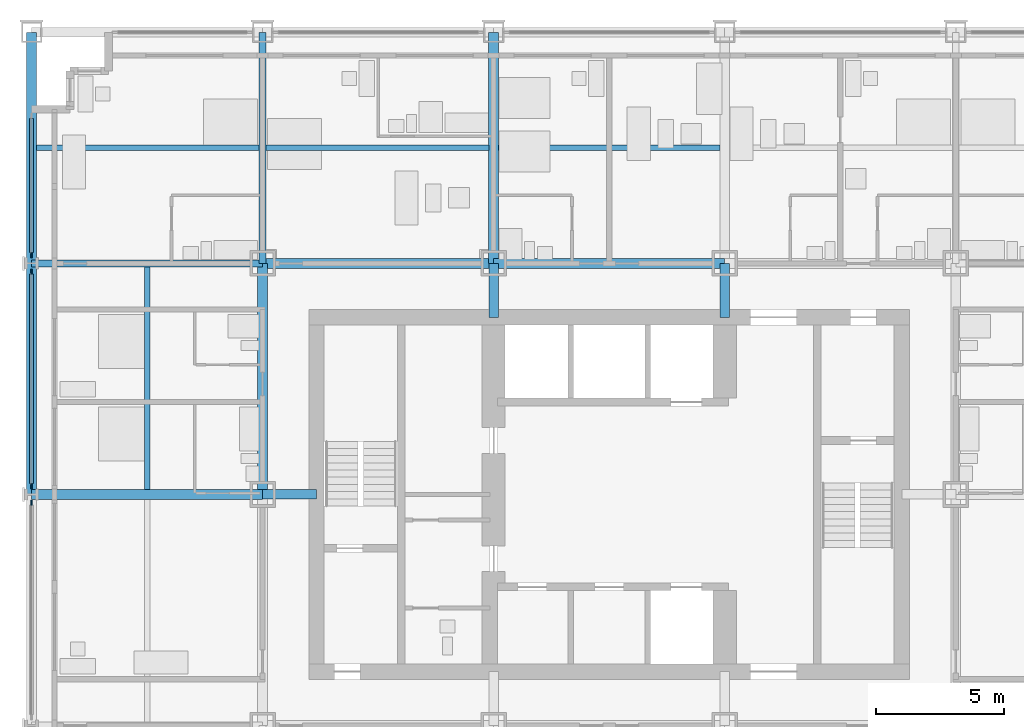
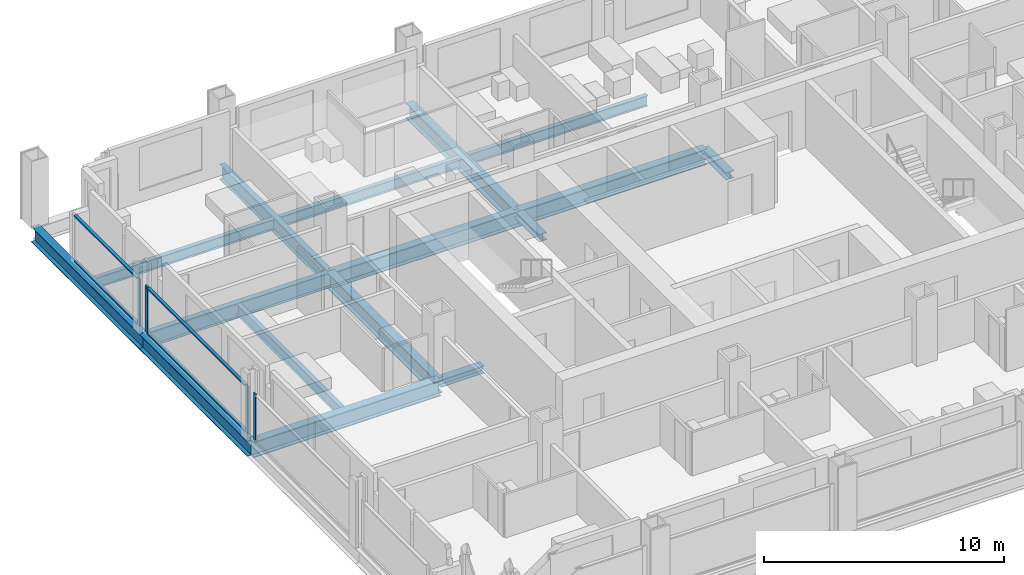
# One storey, part 4 of 17: 13 beams, 11 members, 3 elements without a shape of their own.
"""IFC4 building model written with IfcOpenShell, lengths in metres."""

from ifc_helpers import new_model, si_unit, direction, frame, origin, origin_2d, place, context, subcontext, project, spatial, rectangle, i_section, extrude, material, material_profile, profile_set, type_object, element, aggregate, save


model = new_model("IFC4")

# Units and contexts
model_context = context("Model", 3, precision=1e-05, world=origin(), true_north=direction((0.0, 1.0)))
body_context = subcontext(model_context, "Body", "Model", "MODEL_VIEW")
ifc_project = project(units=[si_unit("LENGTHUNIT", "METRE"), si_unit("AREAUNIT", "SQUARE_METRE"), si_unit("VOLUMEUNIT", "CUBIC_METRE"), si_unit("PLANEANGLEUNIT", "RADIAN"), si_unit("MASSUNIT", "GRAM", prefix="KILO")], contexts=[model_context])

# Site, building, storey
site_placement = place(None, origin())
site = spatial("IfcSite", under=ifc_project, at=site_placement, CompositionType="ELEMENT")
building_placement = place(site_placement, origin())
building = spatial("IfcBuilding", under=site, at=building_placement, Name="Loomwork Tower", CompositionType="ELEMENT")
storey_placement = place(building_placement, frame((0.0, 0.0, 152.0)))
storey = spatial("IfcBuildingStorey", under=building, at=storey_placement, Name="L41", CompositionType="ELEMENT", Elevation=152.0)

# Beams
ifc_material_1 = material(Name="Steel ASTM A992", Category="steel")
ifc_material_profile_1 = material_profile(ifc_material_1, i_section(OverallWidth=0.383544921875, OverallDepth=0.794921875, WebThickness=0.02099609375, FlangeThickness=0.0380859375, at=origin_2d()), Name="W30x235")
ifc_profile_set_1 = profile_set([ifc_material_profile_1], Name="Steel ASTM A992")
beam_type_1 = type_object("IfcBeamType", Name="CORE FLANK GIRDER W30x235", PredefinedType="BEAM", material=ifc_profile_set_1)
for number, where, z_axis, x_axis, name in (
    (1, (0.0, 18.0, -0.597412109375), (1.0, 0.0, 0.0), (0.0, 1.0, 0.0), "Core Flank Girder F/2-F/3 L41"),
    (2, (9.0, 27.0, -0.597412109375), (1.0, 0.0, 0.0), (0.0, 1.0, 0.0), "Core Flank Girder G/3-G/4 L41"),
    (3, (18.0, 27.0, -0.597412109375), (1.0, 0.0, 0.0), (0.0, 1.0, 0.0), "Core Flank Girder G/4-G/5 L41"),
    (4, (9.0, 18.0, -0.597412109375), (0.0, 1.0, 0.0), (-1.0, 0.0, 0.0), "Core Flank Girder F/3-G/3 L41"),
    (5, (18.0, 27.0, -0.597412109375), (0.0, 1.0, 0.0), (-1.0, 0.0, 0.0), "Core Flank Girder G/4-H/4 L41"),
):
    element("IfcBeam", number, at=place(storey_placement, frame(where, z_axis=z_axis, x_axis=x_axis)), inside=storey, type_object=beam_type_1, Name=name, PredefinedType="BEAM", context=body_context, shape_type="SweptSolid", body=[
        extrude(i_section(OverallWidth=0.383544921875, OverallDepth=0.794921875, WebThickness=0.02099609375, FlangeThickness=0.0380859375, at=origin_2d()), origin(), (0.0, 0.0, 1.0), 9.0),
    ])

# Members
ifc_material_2 = material(Name="Steel ASTM A992", Category="steel")
ifc_material_profile_2 = material_profile(ifc_material_2, i_section(OverallWidth=0.373291015625, OverallDepth=0.373291015625, WebThickness=0.016357421875, FlangeThickness=0.026123046875, at=origin_2d()), Name="W14x132")
ifc_profile_set_2 = profile_set([ifc_material_profile_2], Name="Steel ASTM A992")
member_type_1 = type_object("IfcMemberType", Name="CORE LINK STRUT W14x132", PredefinedType="STRUT", material=ifc_profile_set_2)
for number, where, z_axis, x_axis, name in (
    (6, (27.0, 27.0, -0.38671875), (0.0, -1.0, 0.0), (1.0, 0.0, 0.0), "Core link strut G/5-27.000,24.900 L41"),
    (7, (18.0, 27.0, -0.38671875), (0.0, -1.0, 0.0), (1.0, 0.0, 0.0), "Core link strut G/4-18.000,24.900 L41"),
    (8, (9.0, 18.0, -0.38671875), (1.0, 0.0, 0.0), (0.0, 1.0, 0.0), "Core link strut F/3-11.100,18.000 L41"),
):
    element("IfcMember", number, at=place(storey_placement, frame(where, z_axis=z_axis, x_axis=x_axis)), inside=storey, type_object=member_type_1, Name=name, PredefinedType="STRUT", context=body_context, shape_type="SweptSolid", body=[
        extrude(i_section(OverallWidth=0.373291015625, OverallDepth=0.373291015625, WebThickness=0.016357421875, FlangeThickness=0.026123046875, at=origin_2d()), origin(), (0.0, 0.0, 1.0), 2.10009765625),
    ])

# Beams
ifc_material_3 = material(Name="Steel ASTM A992", Category="steel")
ifc_material_profile_3 = material_profile(ifc_material_3, i_section(OverallWidth=0.2666015625, OverallDepth=0.761962890625, WebThickness=0.014404296875, FlangeThickness=0.021484375, at=origin_2d()), Name="W30x116")
ifc_profile_set_3 = profile_set([ifc_material_profile_3], Name="Steel ASTM A992")
beam_type_2 = type_object("IfcBeamType", Name="FLOOR GIRDER W30x116", PredefinedType="BEAM", material=ifc_profile_set_3)
for number, where, z_axis, x_axis, name in (
    (9, (0.0, 27.0, -0.5810546875), (1.0, 0.0, 0.0), (0.0, 1.0, 0.0), "Floor Girder G/2-G/3 L41"),
    (10, (9.0, 27.0, -0.5810546875), (0.0, 1.0, 0.0), (-1.0, 0.0, 0.0), "Floor Girder G/3-H/3 L41"),
):
    element("IfcBeam", number, at=place(storey_placement, frame(where, z_axis=z_axis, x_axis=x_axis)), inside=storey, type_object=beam_type_2, Name=name, PredefinedType="BEAM", context=body_context, shape_type="SweptSolid", body=[
        extrude(i_section(OverallWidth=0.2666015625, OverallDepth=0.761962890625, WebThickness=0.014404296875, FlangeThickness=0.021484375, at=origin_2d()), origin(), (0.0, 0.0, 1.0), 9.0),
    ])
ifc_material_4 = material(Name="Steel ASTM A992", Category="steel")
ifc_material_profile_4 = material_profile(ifc_material_4, i_section(OverallWidth=0.2109375, OverallDepth=0.53857421875, WebThickness=0.011474609375, FlangeThickness=0.018798828125, at=origin_2d()), Name="W21x73")
ifc_profile_set_4 = profile_set([ifc_material_profile_4], Name="Steel ASTM A992")
beam_type_3 = type_object("IfcBeamType", Name="FLOOR JOIST W21x73", PredefinedType="JOIST", material=ifc_profile_set_4)
beam_1_placement = place(storey_placement, frame((4.5, 18.19091796875, -0.46923828125), z_axis=(0.0, 1.0, 0.0), x_axis=(-1.0, 0.0, 0.0)))
element("IfcBeam", 11, at=beam_1_placement, inside=storey, type_object=beam_type_3, Name="Floor Joist 4.500,18.000-4.500,27.000 L41", PredefinedType="JOIST", context=body_context, shape_type="SweptSolid", body=[
    extrude(i_section(OverallWidth=0.2109375, OverallDepth=0.53857421875, WebThickness=0.011474609375, FlangeThickness=0.018798828125, at=origin_2d()), origin(), (0.0, 0.0, 1.0), 8.676025390625),
])
beam_2_placement = place(storey_placement, frame((0.18994140625, 31.5, -0.46923828125), z_axis=(1.0, 0.0, 0.0), x_axis=(0.0, 1.0, 0.0)))
element("IfcBeam", 12, at=beam_2_placement, inside=storey, type_object=beam_type_3, Name="Floor Joist 0.000,31.500-9.000,31.500 L41", PredefinedType="JOIST", context=body_context, shape_type="SweptSolid", body=[
    extrude(i_section(OverallWidth=0.2109375, OverallDepth=0.53857421875, WebThickness=0.011474609375, FlangeThickness=0.018798828125, at=origin_2d()), origin(), (0.0, 0.0, 1.0), 8.677001953125),
])
beam_3_placement = place(storey_placement, frame((9.133056640625, 31.5, -0.46923828125), z_axis=(1.0, 0.0, 0.0), x_axis=(0.0, 1.0, 0.0)))
element("IfcBeam", 13, at=beam_3_placement, inside=storey, type_object=beam_type_3, Name="Floor Joist 9.000,31.500-18.000,31.500 L41", PredefinedType="JOIST", context=body_context, shape_type="SweptSolid", body=[
    extrude(i_section(OverallWidth=0.2109375, OverallDepth=0.53857421875, WebThickness=0.011474609375, FlangeThickness=0.018798828125, at=origin_2d()), origin(), (0.0, 0.0, 1.0), 8.676025390625),
])
beam_4_placement = place(storey_placement, frame((18.19091796875, 31.5, -0.46923828125), z_axis=(1.0, 0.0, 0.0), x_axis=(0.0, 1.0, 0.0)))
element("IfcBeam", 14, at=beam_4_placement, inside=storey, type_object=beam_type_3, Name="Floor Joist 18.000,31.500-27.000,31.500 L41", PredefinedType="JOIST", context=body_context, shape_type="SweptSolid", body=[
    extrude(i_section(OverallWidth=0.2109375, OverallDepth=0.53857421875, WebThickness=0.011474609375, FlangeThickness=0.018798828125, at=origin_2d()), origin(), (0.0, 0.0, 1.0), 8.6181640625),
])

# Curtain wall, member
ifc_material_5 = material(Name="Aluminium curtain wall frame", Category="aluminium")
curtain_wall_type = type_object("IfcCurtainWallType", Name="Outer skin glazing hotel", PredefinedType="NOTDEFINED", material=ifc_material_5)
curtain_wall_1_placement = place(storey_placement, origin())
curtain_wall_1 = element("IfcCurtainWall", 15, at=curtain_wall_1_placement, inside=storey, type_object=curtain_wall_type, Name="Outer skin glazing hotel cw/W-9", PredefinedType="NOTDEFINED")
ifc_material_6 = material(Name="Aluminium curtain wall frame", Category="aluminium")
ifc_material_profile_5 = material_profile(ifc_material_6, rectangle(XDim=0.06494140625, YDim=0.199951171875, at=origin_2d()), Name="AL 65x200")
ifc_profile_set_5 = profile_set([ifc_material_profile_5], Name="Aluminium curtain wall frame")
member_type_2 = type_object("IfcMemberType", Name="Outer skin glazing hotel mullion", PredefinedType="MULLION", material=ifc_profile_set_5)
member_1_placement = place(storey_placement, frame((0.0, 17.678955078125, 0.0), z_axis=(0.0, 0.0, 1.0), x_axis=(1.0, 0.0, 0.0)))
member_1 = element("IfcMember", 16, at=member_1_placement, type_object=member_type_2, Name="CW1 mullion 1", PredefinedType="MULLION", context=body_context, shape_type="SweptSolid", body=[
    extrude(rectangle(XDim=0.06494140625, YDim=0.199951171875, at=origin_2d()), origin(), (0.0, 0.0, 1.0), 2.3701171875),
])
aggregate(curtain_wall_1, [member_1])

# Curtain wall, members
curtain_wall_2_placement = place(storey_placement, origin())
curtain_wall_2 = element("IfcCurtainWall", 17, at=curtain_wall_2_placement, inside=storey, type_object=curtain_wall_type, Name="Outer skin glazing hotel cw/W-18", PredefinedType="NOTDEFINED")
member_2_placement = place(storey_placement, frame((0.0, 26.678955078125, 0.0), z_axis=(0.0, 0.0, 1.0), x_axis=(1.0, 0.0, 0.0)))
member_2 = element("IfcMember", 18, at=member_2_placement, type_object=member_type_2, Name="CW1 mullion 1", PredefinedType="MULLION", context=body_context, shape_type="SweptSolid", body=[
    extrude(rectangle(XDim=0.06494140625, YDim=0.199951171875, at=origin_2d()), origin(), (0.0, 0.0, 1.0), 2.3701171875),
])
member_3_placement = place(storey_placement, frame((0.0, 18.321044921875, 0.0), z_axis=(0.0, 0.0, 1.0), x_axis=(1.0, 0.0, 0.0)))
member_3 = element("IfcMember", 19, at=member_3_placement, type_object=member_type_2, Name="CW1 mullion 2", PredefinedType="MULLION", context=body_context, shape_type="SweptSolid", body=[
    extrude(rectangle(XDim=0.06494140625, YDim=0.199951171875, at=origin_2d()), origin(), (0.0, 0.0, 1.0), 2.3701171875),
])

# Curtain wall, member
curtain_wall_3_placement = place(storey_placement, origin())
curtain_wall_3 = element("IfcCurtainWall", 20, at=curtain_wall_3_placement, inside=storey, type_object=curtain_wall_type, Name="Outer skin glazing hotel cw/W-27", PredefinedType="NOTDEFINED")
member_4_placement = place(storey_placement, frame((0.0, 27.321044921875, 0.0), z_axis=(0.0, 0.0, 1.0), x_axis=(1.0, 0.0, 0.0)))
member_4 = element("IfcMember", 21, at=member_4_placement, type_object=member_type_2, Name="CW1 mullion 2", PredefinedType="MULLION", context=body_context, shape_type="SweptSolid", body=[
    extrude(rectangle(XDim=0.06494140625, YDim=0.199951171875, at=origin_2d()), origin(), (0.0, 0.0, 1.0), 2.3701171875),
])

# Member
ifc_material_7 = material(Name="Aluminium curtain wall frame", Category="aluminium")
ifc_material_profile_6 = material_profile(ifc_material_7, rectangle(XDim=0.14990234375, YDim=0.06494140625, at=origin_2d()), Name="AL 65x150")
ifc_profile_set_6 = profile_set([ifc_material_profile_6], Name="Aluminium curtain wall frame")
member_type_3 = type_object("IfcMemberType", Name="Outer skin glazing hotel transom", PredefinedType="USERDEFINED", material=ifc_profile_set_6)
member_5_placement = place(storey_placement, frame((0.0, 26.5791015625, 0.032470703125), z_axis=(0.0, -1.0, 0.0), x_axis=(1.0, 0.0, 0.0)))
member_5 = element("IfcMember", 22, at=member_5_placement, type_object=member_type_3, Name="CW1 transom 1.1", ObjectType="TRANSOM", PredefinedType="USERDEFINED", context=body_context, shape_type="SweptSolid", body=[
    extrude(rectangle(XDim=0.14990234375, YDim=0.06494140625, at=origin_2d()), origin(), (0.0, 0.0, 1.0), 8.158203125),
])

member_6_placement = place(storey_placement, frame((0.0, 26.5791015625, 2.337646484375), z_axis=(0.0, -1.0, 0.0), x_axis=(1.0, 0.0, 0.0)))
member_6 = element("IfcMember", 23, at=member_6_placement, type_object=member_type_3, Name="CW1 transom 1.2", ObjectType="TRANSOM", PredefinedType="USERDEFINED", context=body_context, shape_type="SweptSolid", body=[
    extrude(rectangle(XDim=0.14990234375, YDim=0.06494140625, at=origin_2d()), origin(), (0.0, 0.0, 1.0), 8.158203125),
])

aggregate(curtain_wall_2, [member_2, member_3, member_5, member_6])

member_7_placement = place(storey_placement, frame((0.0, 32.64990234375, 0.032470703125), z_axis=(0.0, -1.0, 0.0), x_axis=(1.0, 0.0, 0.0)))
member_7 = element("IfcMember", 24, at=member_7_placement, type_object=member_type_3, Name="CW1 transom 1.1", ObjectType="TRANSOM", PredefinedType="USERDEFINED", context=body_context, shape_type="SweptSolid", body=[
    extrude(rectangle(XDim=0.14990234375, YDim=0.06494140625, at=origin_2d()), origin(), (0.0, 0.0, 1.0), 5.22900390625),
])

member_8_placement = place(storey_placement, frame((0.0, 32.64990234375, 2.337646484375), z_axis=(0.0, -1.0, 0.0), x_axis=(1.0, 0.0, 0.0)))
member_8 = element("IfcMember", 25, at=member_8_placement, type_object=member_type_3, Name="CW1 transom 1.2", ObjectType="TRANSOM", PredefinedType="USERDEFINED", context=body_context, shape_type="SweptSolid", body=[
    extrude(rectangle(XDim=0.14990234375, YDim=0.06494140625, at=origin_2d()), origin(), (0.0, 0.0, 1.0), 5.22900390625),
])

aggregate(curtain_wall_3, [member_4, member_7, member_8])

# Beams
ifc_material_8 = material(Name="Steel ASTM A992", Category="steel")
ifc_material_profile_7 = material_profile(ifc_material_8, i_section(OverallWidth=0.381103515625, OverallDepth=0.77978515625, WebThickness=0.01806640625, FlangeThickness=0.0302734375, at=origin_2d()), Name="W30x191")
ifc_profile_set_7 = profile_set([ifc_material_profile_7], Name="Steel ASTM A992")
beam_type_4 = type_object("IfcBeamType", Name="SPANDREL GIRDER W30x191", PredefinedType="SPANDREL", material=ifc_profile_set_7)
for number, where, z_axis, x_axis, name in (
    (26, (0.0, 18.0, -0.58984375), (0.0, 1.0, 0.0), (-1.0, 0.0, 0.0), "Spandrel Girder F/2-G/2 L41"),
    (27, (0.0, 27.0, -0.58984375), (0.0, 1.0, 0.0), (-1.0, 0.0, 0.0), "Spandrel Girder G/2-H/2 L41"),
):
    element("IfcBeam", number, at=place(storey_placement, frame(where, z_axis=z_axis, x_axis=x_axis)), inside=storey, type_object=beam_type_4, Name=name, PredefinedType="SPANDREL", context=body_context, shape_type="SweptSolid", body=[
        extrude(i_section(OverallWidth=0.381103515625, OverallDepth=0.77978515625, WebThickness=0.01806640625, FlangeThickness=0.0302734375, at=origin_2d()), origin(), (0.0, 0.0, 1.0), 9.0),
    ])

save(model, "model.ifc")
